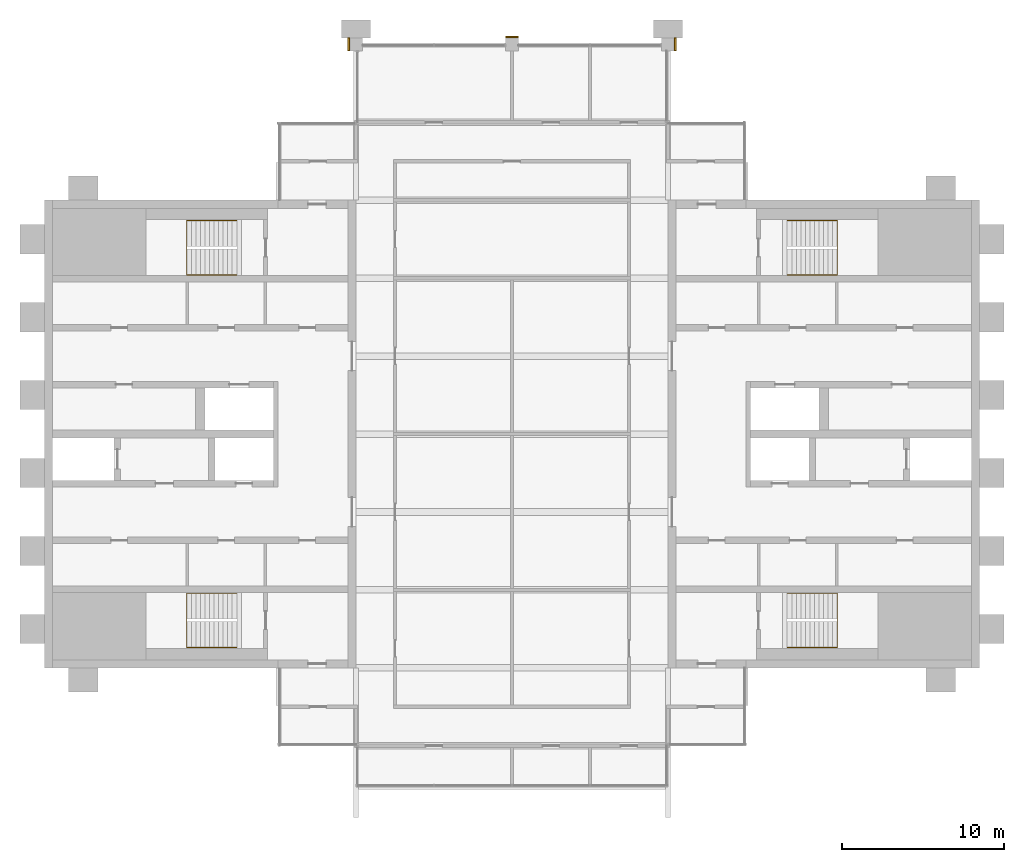
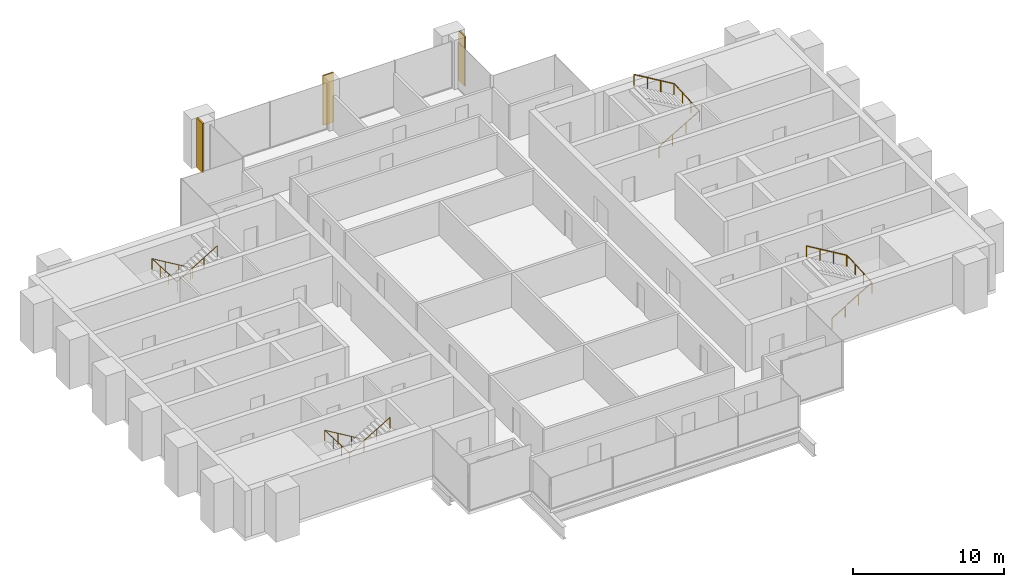
# One storey, part 12 of 12: 4 railings, 3 coverings.
"""IFC4 building model written with IfcOpenShell, lengths in metres."""

from ifc_helpers import new_model, si_unit, direction, frame, origin, origin_2d, place, context, subcontext, project, spatial, rectangle, circle, extrude, material, layer, layer_set, type_object, element, save


model = new_model("IFC4")

# Units and contexts
model_context = context("Model", 3, precision=1e-05, world=origin(), true_north=direction((0.0, 1.0)))
body_context = subcontext(model_context, "Body", "Model", "MODEL_VIEW")
ifc_project = project(units=[si_unit("LENGTHUNIT", "METRE"), si_unit("AREAUNIT", "SQUARE_METRE"), si_unit("VOLUMEUNIT", "CUBIC_METRE"), si_unit("PLANEANGLEUNIT", "RADIAN"), si_unit("MASSUNIT", "GRAM", prefix="KILO")], contexts=[model_context])

# Site, building, storey
site_placement = place(None, origin())
site = spatial("IfcSite", under=ifc_project, at=site_placement, CompositionType="ELEMENT")
building_placement = place(site_placement, origin())
building = spatial("IfcBuilding", under=site, at=building_placement, Name="Baori Bourse Tower", CompositionType="ELEMENT")
storey_placement = place(building_placement, frame((0.0, 0.0, 362.300048828125)))
storey = spatial("IfcBuildingStorey", under=building, at=storey_placement, Name="L81", CompositionType="ELEMENT", Elevation=362.300048828125)

# Railings
ifc_material_1 = material(Name="Powder-coated steel balustrade", Category="steel")
railing_type = type_object("IfcRailingType", Name="Core stair handrail", PredefinedType="HANDRAIL", material=ifc_material_1)
railing_1_placement = place(storey_placement, frame((11.85009765625, 14.199951171875, 0.16650390625)))
element("IfcRailing", 1, at=railing_1_placement, inside=storey, type_object=railing_type, Name="L81 ST1 stair handrail 1", PredefinedType="HANDRAIL", context=body_context, shape_type="SweptSolid", body=[
    extrude(circle(Radius=0.02392578125, at=origin_2d()), frame((0.0, 0.0, 0.8759765625), z_axis=(-0.85927862911, 0.0, 0.511507807912), x_axis=(0.0, -1.0, 0.0)), (0.0, 0.0, 1.0), 3.58447265625),
    extrude(circle(Radius=0.02392578125, at=origin_2d()), frame((-3.080078125, 0.0, 2.70947265625), z_axis=(0.0, -0.998766999029, 0.049643545903), x_axis=(1.0, 0.0, 0.0)), (0.0, 0.0, 1.0), 3.35400390625),
    extrude(circle(Radius=0.02392578125, at=origin_2d()), frame((-3.080078125, -3.349853515625, 2.8759765625), z_axis=(0.85927862911, 0.0, 0.511507807912), x_axis=(0.0, 1.0, 0.0)), (0.0, 0.0, 1.0), 3.58447265625),
    extrude(circle(Radius=0.02099609375, at=origin_2d()), origin(), (0.0, 0.0, 1.0), 0.851806640625),
    extrude(circle(Radius=0.02099609375, at=origin_2d()), frame((-1.026611328125, 0.0, 0.611083984375)), (0.0, 0.0, 1.0), 0.851806640625),
    extrude(circle(Radius=0.02099609375, at=origin_2d()), frame((-2.053466796875, 0.0, 1.222412109375)), (0.0, 0.0, 1.0), 0.851806640625),
    extrude(circle(Radius=0.02099609375, at=origin_2d()), frame((-3.080078125, 0.0, 1.83349609375)), (0.0, 0.0, 1.0), 0.851806640625),
    extrude(circle(Radius=0.02099609375, at=origin_2d()), frame((-3.080078125, -1.11669921875, 1.888916015625)), (0.0, 0.0, 1.0), 0.851806640625),
    extrude(circle(Radius=0.02099609375, at=origin_2d()), frame((-3.080078125, -2.233154296875, 1.944580078125)), (0.0, 0.0, 1.0), 0.851806640625),
    extrude(circle(Radius=0.02099609375, at=origin_2d()), frame((-3.080078125, -3.349853515625, 2.0)), (0.0, 0.0, 1.0), 0.851806640625),
    extrude(circle(Radius=0.02099609375, at=origin_2d()), frame((-2.053466796875, -3.349853515625, 2.611083984375)), (0.0, 0.0, 1.0), 0.851806640625),
    extrude(circle(Radius=0.02099609375, at=origin_2d()), frame((-1.026611328125, -3.349853515625, 3.222412109375)), (0.0, 0.0, 1.0), 0.851806640625),
    extrude(circle(Radius=0.02099609375, at=origin_2d()), frame((0.0, -3.349853515625, 3.83349609375)), (0.0, 0.0, 1.0), 0.851806640625),
])
railing_2_placement = place(storey_placement, frame((11.85009765625, 37.14990234375, 0.16650390625)))
element("IfcRailing", 2, at=railing_2_placement, inside=storey, type_object=railing_type, Name="L81 ST2 stair handrail 1", PredefinedType="HANDRAIL", context=body_context, shape_type="SweptSolid", body=[
    extrude(circle(Radius=0.02392578125, at=origin_2d()), frame((0.0, 0.0, 0.8759765625), z_axis=(-0.85927862911, 0.0, 0.511507807912), x_axis=(0.0, -1.0, 0.0)), (0.0, 0.0, 1.0), 3.58447265625),
    extrude(circle(Radius=0.02392578125, at=origin_2d()), frame((-3.080078125, 0.0, 2.70947265625), z_axis=(0.0, -0.998766999029, 0.049643545903), x_axis=(1.0, 0.0, 0.0)), (0.0, 0.0, 1.0), 3.35400390625),
    extrude(circle(Radius=0.02392578125, at=origin_2d()), frame((-3.080078125, -3.349853515625, 2.8759765625), z_axis=(0.85927862911, 0.0, 0.511507807912), x_axis=(0.0, 1.0, 0.0)), (0.0, 0.0, 1.0), 3.58447265625),
    extrude(circle(Radius=0.02099609375, at=origin_2d()), origin(), (0.0, 0.0, 1.0), 0.851806640625),
    extrude(circle(Radius=0.02099609375, at=origin_2d()), frame((-1.026611328125, 0.0, 0.611083984375)), (0.0, 0.0, 1.0), 0.851806640625),
    extrude(circle(Radius=0.02099609375, at=origin_2d()), frame((-2.053466796875, 0.0, 1.222412109375)), (0.0, 0.0, 1.0), 0.851806640625),
    extrude(circle(Radius=0.02099609375, at=origin_2d()), frame((-3.080078125, 0.0, 1.83349609375)), (0.0, 0.0, 1.0), 0.851806640625),
    extrude(circle(Radius=0.02099609375, at=origin_2d()), frame((-3.080078125, -1.11669921875, 1.888916015625)), (0.0, 0.0, 1.0), 0.851806640625),
    extrude(circle(Radius=0.02099609375, at=origin_2d()), frame((-3.080078125, -2.233154296875, 1.944580078125)), (0.0, 0.0, 1.0), 0.851806640625),
    extrude(circle(Radius=0.02099609375, at=origin_2d()), frame((-3.080078125, -3.349853515625, 2.0)), (0.0, 0.0, 1.0), 0.851806640625),
    extrude(circle(Radius=0.02099609375, at=origin_2d()), frame((-2.053466796875, -3.349853515625, 2.611083984375)), (0.0, 0.0, 1.0), 0.851806640625),
    extrude(circle(Radius=0.02099609375, at=origin_2d()), frame((-1.026611328125, -3.349853515625, 3.222412109375)), (0.0, 0.0, 1.0), 0.851806640625),
    extrude(circle(Radius=0.02099609375, at=origin_2d()), frame((0.0, -3.349853515625, 3.83349609375)), (0.0, 0.0, 1.0), 0.851806640625),
])
railing_3_placement = place(storey_placement, frame((45.75, 10.85009765625, 0.16650390625)))
element("IfcRailing", 3, at=railing_3_placement, inside=storey, type_object=railing_type, Name="L81 ST3 stair handrail 1", PredefinedType="HANDRAIL", context=body_context, shape_type="SweptSolid", body=[
    extrude(circle(Radius=0.02392578125, at=origin_2d()), frame((0.0, 0.0, 0.8759765625), z_axis=(0.85927862911, 0.0, 0.511507807912), x_axis=(0.0, 1.0, 0.0)), (0.0, 0.0, 1.0), 3.58447265625),
    extrude(circle(Radius=0.02392578125, at=origin_2d()), frame((3.080078125, 0.0, 2.70947265625), z_axis=(0.0, 0.998766999029, 0.049643545903), x_axis=(-1.0, 0.0, 0.0)), (0.0, 0.0, 1.0), 3.35400390625),
    extrude(circle(Radius=0.02392578125, at=origin_2d()), frame((3.080078125, 3.349853515625, 2.8759765625), z_axis=(-0.85927862911, 0.0, 0.511507807912), x_axis=(0.0, -1.0, 0.0)), (0.0, 0.0, 1.0), 3.58447265625),
    extrude(circle(Radius=0.02099609375, at=origin_2d()), origin(), (0.0, 0.0, 1.0), 0.851806640625),
    extrude(circle(Radius=0.02099609375, at=origin_2d()), frame((1.026611328125, 0.0, 0.611083984375)), (0.0, 0.0, 1.0), 0.851806640625),
    extrude(circle(Radius=0.02099609375, at=origin_2d()), frame((2.053466796875, 0.0, 1.222412109375)), (0.0, 0.0, 1.0), 0.851806640625),
    extrude(circle(Radius=0.02099609375, at=origin_2d()), frame((3.080078125, 0.0, 1.83349609375)), (0.0, 0.0, 1.0), 0.851806640625),
    extrude(circle(Radius=0.02099609375, at=origin_2d()), frame((3.080078125, 1.11669921875, 1.888916015625)), (0.0, 0.0, 1.0), 0.851806640625),
    extrude(circle(Radius=0.02099609375, at=origin_2d()), frame((3.080078125, 2.233154296875, 1.944580078125)), (0.0, 0.0, 1.0), 0.851806640625),
    extrude(circle(Radius=0.02099609375, at=origin_2d()), frame((3.080078125, 3.349853515625, 2.0)), (0.0, 0.0, 1.0), 0.851806640625),
    extrude(circle(Radius=0.02099609375, at=origin_2d()), frame((2.053466796875, 3.349853515625, 2.611083984375)), (0.0, 0.0, 1.0), 0.851806640625),
    extrude(circle(Radius=0.02099609375, at=origin_2d()), frame((1.026611328125, 3.349853515625, 3.222412109375)), (0.0, 0.0, 1.0), 0.851806640625),
    extrude(circle(Radius=0.02099609375, at=origin_2d()), frame((0.0, 3.349853515625, 3.83349609375)), (0.0, 0.0, 1.0), 0.851806640625),
])
railing_4_placement = place(storey_placement, frame((45.75, 33.800048828125, 0.16650390625)))
element("IfcRailing", 4, at=railing_4_placement, inside=storey, type_object=railing_type, Name="L81 ST4 stair handrail 1", PredefinedType="HANDRAIL", context=body_context, shape_type="SweptSolid", body=[
    extrude(circle(Radius=0.02392578125, at=origin_2d()), frame((0.0, 0.0, 0.8759765625), z_axis=(0.85927862911, 0.0, 0.511507807912), x_axis=(0.0, 1.0, 0.0)), (0.0, 0.0, 1.0), 3.58447265625),
    extrude(circle(Radius=0.02392578125, at=origin_2d()), frame((3.080078125, 0.0, 2.70947265625), z_axis=(0.0, 0.998766999029, 0.049643545903), x_axis=(-1.0, 0.0, 0.0)), (0.0, 0.0, 1.0), 3.35400390625),
    extrude(circle(Radius=0.02392578125, at=origin_2d()), frame((3.080078125, 3.349853515625, 2.8759765625), z_axis=(-0.85927862911, 0.0, 0.511507807912), x_axis=(0.0, -1.0, 0.0)), (0.0, 0.0, 1.0), 3.58447265625),
    extrude(circle(Radius=0.02099609375, at=origin_2d()), origin(), (0.0, 0.0, 1.0), 0.851806640625),
    extrude(circle(Radius=0.02099609375, at=origin_2d()), frame((1.026611328125, 0.0, 0.611083984375)), (0.0, 0.0, 1.0), 0.851806640625),
    extrude(circle(Radius=0.02099609375, at=origin_2d()), frame((2.053466796875, 0.0, 1.222412109375)), (0.0, 0.0, 1.0), 0.851806640625),
    extrude(circle(Radius=0.02099609375, at=origin_2d()), frame((3.080078125, 0.0, 1.83349609375)), (0.0, 0.0, 1.0), 0.851806640625),
    extrude(circle(Radius=0.02099609375, at=origin_2d()), frame((3.080078125, 1.11669921875, 1.888916015625)), (0.0, 0.0, 1.0), 0.851806640625),
    extrude(circle(Radius=0.02099609375, at=origin_2d()), frame((3.080078125, 2.233154296875, 1.944580078125)), (0.0, 0.0, 1.0), 0.851806640625),
    extrude(circle(Radius=0.02099609375, at=origin_2d()), frame((3.080078125, 3.349853515625, 2.0)), (0.0, 0.0, 1.0), 0.851806640625),
    extrude(circle(Radius=0.02099609375, at=origin_2d()), frame((2.053466796875, 3.349853515625, 2.611083984375)), (0.0, 0.0, 1.0), 0.851806640625),
    extrude(circle(Radius=0.02099609375, at=origin_2d()), frame((1.026611328125, 3.349853515625, 3.222412109375)), (0.0, 0.0, 1.0), 0.851806640625),
    extrude(circle(Radius=0.02099609375, at=origin_2d()), frame((0.0, 3.349853515625, 3.83349609375)), (0.0, 0.0, 1.0), 0.851806640625),
])

# Coverings
ifc_material_2 = material(Name="Face brick", Category="masonry")
ifc_layer = layer(ifc_material_2, 0.110107421875)
ifc_layer_set = layer_set([ifc_layer], Name="PC1 Brick pier facing")
covering_type = type_object("IfcCoveringType", Name="PC1 Brick pier facing", PredefinedType="CLADDING", material=ifc_layer_set)
covering_1_placement = place(storey_placement, frame((18.7451171875, 48.0, 0.0), z_axis=(0.0, 0.0, 1.0), x_axis=(1.0, 0.0, 0.0)))
element("IfcCovering", 5, at=covering_1_placement, inside=storey, type_object=covering_type, Name="Brick pier facing L81 1", PredefinedType="CLADDING", context=body_context, shape_type="SweptSolid", body=[
    extrude(rectangle(XDim=0.110107421875, YDim=0.800048828125, at=origin_2d()), origin(), (0.0, 0.0, 1.0), 4.0),
])
covering_2_placement = place(storey_placement, frame((28.800048828125, 48.455078125, 0.0), z_axis=(0.0, 0.0, 1.0), x_axis=(1.0, 0.0, 0.0)))
element("IfcCovering", 6, at=covering_2_placement, inside=storey, type_object=covering_type, Name="Brick pier facing L81 2", PredefinedType="CLADDING", context=body_context, shape_type="SweptSolid", body=[
    extrude(rectangle(XDim=0.800048828125, YDim=0.110107421875, at=origin_2d()), origin(), (0.0, 0.0, 1.0), 4.0),
])
covering_3_placement = place(storey_placement, frame((38.85498046875, 48.0, 0.0), z_axis=(0.0, 0.0, 1.0), x_axis=(1.0, 0.0, 0.0)))
element("IfcCovering", 7, at=covering_3_placement, inside=storey, type_object=covering_type, Name="Brick pier facing L81 3", PredefinedType="CLADDING", context=body_context, shape_type="SweptSolid", body=[
    extrude(rectangle(XDim=0.110107421875, YDim=0.800048828125, at=origin_2d()), origin(), (0.0, 0.0, 1.0), 4.0),
])

save(model, "model.ifc")
